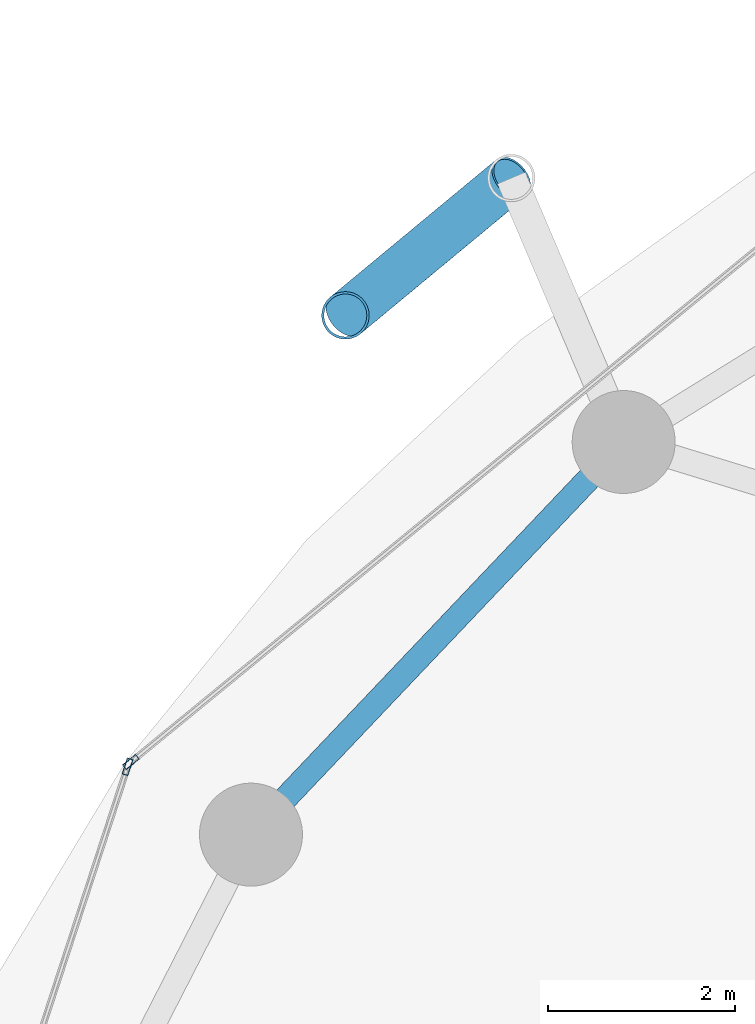
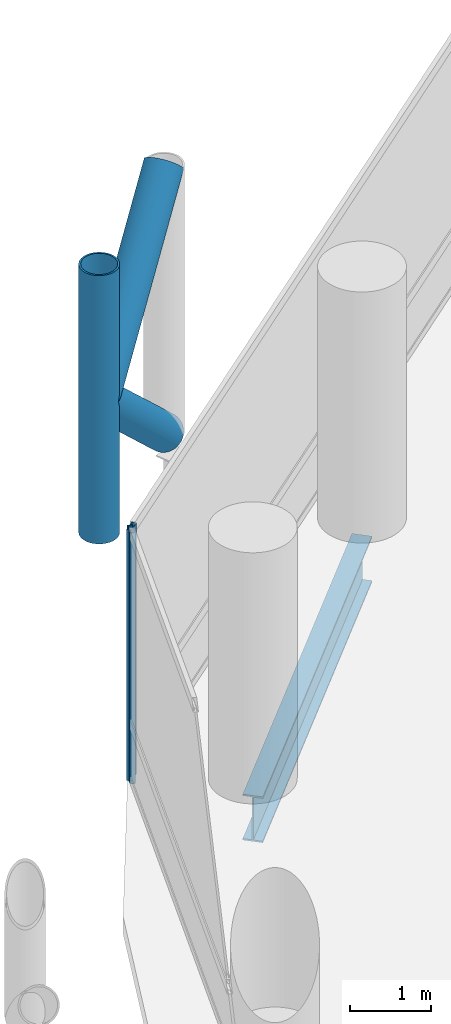
# One storey, part 13 of 24: 5 members, 1 beam, 2 elements without a shape of their own.
"""IFC4 building model written with IfcOpenShell, lengths in metres."""

import ifcopenshell
import ifcopenshell.guid

model = None  # the IFC model being written
_history = None  # IfcOwnerHistory: only IFC2X3 demands one
_inside = {}  # id of a spatial element -> (the spatial element, [elements in it])
_under = {}  # id of a project, library or spatial element -> (it, [spatial elements below it])
_declared = {}  # id of a project -> (the project, [libraries it declares])
_typed = {}  # id of a type object -> (the type object, [elements of that type])
_made_of = {}  # id of a material, layer set ... -> (it, [elements and type objects made of it])


def new_model(schema):
    """Start an empty IFC model of exactly this schema.

    Asked for "IFC4X3", IfcOpenShell would pick the latest addendum, in which some entities
    have other attributes; the version numbers below select the first issue.
    IFC2X3 requires an IfcOwnerHistory on every rooted entity: one is made here for all.
    """
    global model, _history
    if schema == "IFC4X3":
        model = ifcopenshell.file(schema_version=(4, 3, 0, 0))
    else:
        model = ifcopenshell.file(schema=schema)
    _inside.clear()
    _under.clear()
    _declared.clear()
    _typed.clear()
    _made_of.clear()
    _history = None
    if model.schema == "IFC2X3":
        org = make("IfcOrganization", Name="unknown")
        user = make(
            "IfcPersonAndOrganization",
            ThePerson=make("IfcPerson", FamilyName="unknown"),
            TheOrganization=org,
        )
        app = make(
            "IfcApplication",
            ApplicationDeveloper=org,
            Version="unknown",
            ApplicationFullName="unknown",
            ApplicationIdentifier="unknown",
        )
        _history = make(
            "IfcOwnerHistory",
            OwningUser=user,
            OwningApplication=app,
            ChangeAction="ADDED",
            CreationDate=0,
        )
    return model


def make(cls, **values):
    """One entity of the class cls with the attributes given. An attribute that is None is left unset."""
    return model.create_entity(
        cls, **{name: value for name, value in values.items() if value is not None}
    )


def rooted(cls, **values):
    """An entity with a GlobalId (a new one), such as an element, a storey or a relation."""
    return make(cls, GlobalId=ifcopenshell.guid.new(), OwnerHistory=_history, **values)


def si_unit(unit_type, name, prefix=None):
    """IfcSIUnit, for example si_unit("LENGTHUNIT", "METRE", prefix="MILLI")."""
    return make("IfcSIUnit", UnitType=unit_type, Prefix=prefix, Name=name)


def assignment(units):
    """IfcUnitAssignment: the units of a project."""
    return None if units is None else make("IfcUnitAssignment", Units=units)


def point(xyz):
    """IfcCartesianPoint."""
    return None if xyz is None else make("IfcCartesianPoint", Coordinates=xyz)


def direction(xyz):
    """IfcDirection."""
    return None if xyz is None else make("IfcDirection", DirectionRatios=xyz)


def frame(location, z_axis=None, x_axis=None):
    """IfcAxis2Placement3D, a coordinate frame: its origin and axes. An axis left out is left unset."""
    return make(
        "IfcAxis2Placement3D",
        Location=point(location),
        Axis=direction(z_axis),
        RefDirection=direction(x_axis),
    )


def frame_2d(location, x_axis=None):
    """IfcAxis2Placement2D, a coordinate frame in the plane: its origin and x axis."""
    return make(
        "IfcAxis2Placement2D", Location=point(location), RefDirection=direction(x_axis)
    )


def origin():
    """The frame at (0, 0, 0) with its axes left unset."""
    return frame((0.0, 0.0, 0.0))


def origin_2d():
    """The frame at (0, 0) in the plane with its x axis left unset."""
    return frame_2d((0.0, 0.0))


def place(relative_to, where):
    """IfcLocalPlacement: puts the frame where relative to a parent placement (None: the world)."""
    return make(
        "IfcLocalPlacement", PlacementRelTo=relative_to, RelativePlacement=where
    )


def context(
    kind, dimensions, precision=None, world=None, true_north=None, identifier=None
):
    """IfcGeometricRepresentationContext, for example the 3D "Model" context."""
    return make(
        "IfcGeometricRepresentationContext",
        ContextIdentifier=identifier,
        ContextType=kind,
        CoordinateSpaceDimension=dimensions,
        Precision=precision,
        WorldCoordinateSystem=world,
        TrueNorth=true_north,
    )


def subcontext(parent, identifier, kind, view, scale=None):
    """IfcGeometricRepresentationSubContext, for example "Body" below "Model"."""
    return make(
        "IfcGeometricRepresentationSubContext",
        ContextIdentifier=identifier,
        ContextType=kind,
        ParentContext=parent,
        TargetScale=scale,
        TargetView=view,
    )


def project(units=None, contexts=None):
    """IfcProject with its units and contexts."""
    return rooted(
        "IfcProject",
        Name="project",
        RepresentationContexts=contexts,
        UnitsInContext=assignment(units),
    )


def spatial(cls, under=None, at=None, **own):
    """A site, building, storey or space (cls), placed at a placement, below another one or the project."""
    s = rooted(cls, ObjectPlacement=at, **own)
    if under is not None:
        _under.setdefault(under.id(), (under, []))[1].append(s)
    return s


def profile(cls, at=None, kind="AREA", **sizes):
    """A parametric profile (cls). Its sizes go by their IFC names, for example OverallWidth=200.0."""
    return make(cls, ProfileType=kind, Position=at, **sizes)


def hollow_rectangle(**sizes):
    """IfcRectangleHollowProfileDef."""
    return profile("IfcRectangleHollowProfileDef", **sizes)


def hollow_circle(**sizes):
    """IfcCircleHollowProfileDef."""
    return profile("IfcCircleHollowProfileDef", **sizes)


def i_section(**sizes):
    """IfcIShapeProfileDef."""
    return profile("IfcIShapeProfileDef", **sizes)


def extrude(swept, where, along, depth):
    """IfcExtrudedAreaSolid: the profile swept, set in the frame where, extruded along a direction by depth."""
    return make(
        "IfcExtrudedAreaSolid",
        SweptArea=swept,
        Position=where,
        ExtrudedDirection=direction(along),
        Depth=depth,
    )


def shape(context_of_items, identifier, shape_type, items):
    """IfcShapeRepresentation: the items that make up one representation, for example the "Body"."""
    return make(
        "IfcShapeRepresentation",
        ContextOfItems=context_of_items,
        RepresentationIdentifier=identifier,
        RepresentationType=shape_type,
        Items=items,
    )


def material(Name=None, Category=None):
    """IfcMaterial."""
    return make("IfcMaterial", Name=Name, Category=Category)


def layer(
    of_material, thickness, ventilated=None, Name=None, Category=None, Priority=None
):
    """IfcMaterialLayer: one layer of a wall or slab, of a material (None: an air gap)."""
    return make(
        "IfcMaterialLayer",
        Material=of_material,
        LayerThickness=thickness,
        IsVentilated=ventilated,
        Name=Name,
        Category=Category,
        Priority=Priority,
    )


def layer_set(layers, Name=None):
    """IfcMaterialLayerSet."""
    return make("IfcMaterialLayerSet", MaterialLayers=layers, LayerSetName=Name)


def material_profile(
    of_material, cross_section, Name=None, Category=None, Priority=None
):
    """IfcMaterialProfile: a cross section and its material."""
    return make(
        "IfcMaterialProfile",
        Name=Name,
        Material=of_material,
        Profile=cross_section,
        Priority=Priority,
        Category=Category,
    )


def profile_set(profiles, Name=None, composite=None):
    """IfcMaterialProfileSet."""
    return make(
        "IfcMaterialProfileSet",
        Name=Name,
        MaterialProfiles=profiles,
        CompositeProfile=composite,
    )


def made_of(thing, what):
    """Note that an element or type object is made of a material, layer set ...; save() writes the relation."""
    if what is not None:
        _made_of.setdefault(what.id(), (what, []))[1].append(thing)
    return thing


def type_object(cls, material=None, **own):
    """A type object (cls), such as IfcWallType, which elements share."""
    return made_of(rooted(cls, **own), material)


def element(
    cls,
    number,
    at=None,
    inside=None,
    cuts=None,
    type_object=None,
    material=None,
    context=None,
    identifier="Body",
    shape_type=None,
    held_by="IfcProductDefinitionShape",
    body=None,
    shapes=None,
    **own,
):
    """One element of the class cls, such as IfcWall. Its Tag is "e" and its number.

    at: its placement. inside: the storey or other place that contains it. cuts: it is an
    opening in that element (IfcRelVoidsElement). A single representation is given by context,
    identifier, shape_type and body (its items); several are given by shapes. held_by: the class
    of the entity that holds the representations. save() writes the other relations.
    """
    e = rooted(cls, Tag="e%d" % number, ObjectPlacement=at, **own)
    if body is not None:
        shapes = [shape(context, identifier, shape_type, body)]
    if shapes is not None:
        e.Representation = make(held_by, Representations=shapes)
    if inside is not None:
        _inside.setdefault(inside.id(), (inside, []))[1].append(e)
    if cuts is not None:
        rooted(
            "IfcRelVoidsElement", RelatingBuildingElement=cuts, RelatedOpeningElement=e
        )
    if type_object is not None:
        _typed.setdefault(type_object.id(), (type_object, []))[1].append(e)
    return made_of(e, material)


def aggregate(whole, parts):
    """IfcRelAggregates: a whole, such as a stair, and the parts it consists of."""
    return rooted("IfcRelAggregates", RelatingObject=whole, RelatedObjects=parts)


def save(model, path):
    """Write the relations noted so far, then the file.

    IfcRelAggregates (storeys below a building ...), IfcRelContainedInSpatialStructure (elements
    in a storey), IfcRelDefinesByType, IfcRelAssociatesMaterial and IfcRelDeclares: one each for
    every whole, place, type object, material and project.
    """
    for whole, parts in _under.values():
        aggregate(whole, parts)
    for where, things in _inside.values():
        rooted(
            "IfcRelContainedInSpatialStructure",
            RelatedElements=things,
            RelatingStructure=where,
        )
    for kind, things in _typed.values():
        rooted("IfcRelDefinesByType", RelatedObjects=things, RelatingType=kind)
    for what, things in _made_of.values():
        rooted("IfcRelAssociatesMaterial", RelatedObjects=things, RelatingMaterial=what)
    for by, libraries in _declared.values():
        rooted("IfcRelDeclares", RelatingContext=by, RelatedDefinitions=libraries)
    model.write(path)


model = new_model("IFC4")

# Units and contexts
model_context = context("Model", 3, precision=1e-05, world=origin(), true_north=direction((0.0, 1.0)))
body_context = subcontext(model_context, "Body", "Model", "MODEL_VIEW")
ifc_project = project(units=[si_unit("LENGTHUNIT", "METRE"), si_unit("AREAUNIT", "SQUARE_METRE"), si_unit("VOLUMEUNIT", "CUBIC_METRE"), si_unit("PLANEANGLEUNIT", "RADIAN"), si_unit("MASSUNIT", "GRAM", prefix="KILO")], contexts=[model_context])

# Site, building, storey
site_placement = place(None, origin())
site = spatial("IfcSite", under=ifc_project, at=site_placement, CompositionType="ELEMENT")
building_placement = place(site_placement, origin())
building = spatial("IfcBuilding", under=site, at=building_placement, Name="Nuhasar Tower", CompositionType="ELEMENT")
storey_placement = place(building_placement, frame((0.0, 0.0, 29.10009765625)))
storey = spatial("IfcBuildingStorey", under=building, at=storey_placement, Name="L06", CompositionType="ELEMENT", Elevation=29.10009765625)

# Beam
ifc_material_1 = material(Name="Steel S355", Category="steel")
ifc_material_profile_1 = material_profile(ifc_material_1, i_section(OverallWidth=0.256103515625, OverallDepth=0.693115234375, WebThickness=0.014404296875, FlangeThickness=0.023681640625, at=origin_2d()), Name="W27X114")
ifc_profile_set_1 = profile_set([ifc_material_profile_1], Name="Steel S355")
beam_type = type_object("IfcBeamType", Name="BM-RING-W27X114", PredefinedType="SPANDREL", material=ifc_profile_set_1)
beam_placement = place(storey_placement, frame((21.287109375, 41.118896484375, -0.606201171875), z_axis=(-0.688480893507, -0.725254478976, 0.0), x_axis=(0.725254478976, -0.688480893507, 0.0)))
element("IfcBeam", 1, at=beam_placement, inside=storey, type_object=beam_type, Name="L06 Perimeter Ring Spandrel 10", PredefinedType="SPANDREL", context=body_context, shape_type="SweptSolid", body=[
    extrude(i_section(OverallWidth=0.256103515625, OverallDepth=0.693115234375, WebThickness=0.014404296875, FlangeThickness=0.023681640625, at=origin_2d()), origin(), (0.0, 0.0, 1.0), 5.782470703125),
])

# Curtain wall, member
ifc_material_2 = material(Name="Aluminium 6063-T6", Category="aluminium")
ifc_layer = layer(ifc_material_2, 0.199951171875)
ifc_layer_set = layer_set([ifc_layer], Name="Aluminium 6063-T6")
curtain_wall_type = type_object("IfcCurtainWallType", Name="CW-Z1-OFF", PredefinedType="NOTDEFINED", material=ifc_layer_set)
curtain_wall_1_placement = place(storey_placement, origin())
curtain_wall_1 = element("IfcCurtainWall", 2, at=curtain_wall_1_placement, inside=storey, type_object=curtain_wall_type, Name="L06 Unitised Curtain Wall 05", PredefinedType="NOTDEFINED")
ifc_material_profile_2 = material_profile(ifc_material_2, hollow_rectangle(XDim=0.06494140625, YDim=0.179931640625, WallThickness=0.0048828125, at=origin_2d()), Name="CWM-2")
ifc_profile_set_2 = profile_set([ifc_material_profile_2], Name="Aluminium 6063-T6")
member_type_1 = type_object("IfcMemberType", Name="CW-MUL-S2", PredefinedType="MULLION", material=ifc_profile_set_2)
member_1_placement = place(storey_placement, frame((16.023193359375, 37.70068359375, 0.0), z_axis=(0.0, 0.0, 1.0), x_axis=(0.633744593376, -0.773542364946, 0.0)))
member_1 = element("IfcMember", 3, at=member_1_placement, type_object=member_type_1, Name="CW-Z1 mullion 2", PredefinedType="MULLION", context=body_context, shape_type="SweptSolid", body=[
    extrude(hollow_rectangle(XDim=0.06494140625, YDim=0.179931640625, WallThickness=0.0048828125, at=origin_2d()), origin(), (0.0, 0.0, 1.0), 3.789794921875),
])
aggregate(curtain_wall_1, [member_1])

curtain_wall_2_placement = place(storey_placement, origin())
curtain_wall_2 = element("IfcCurtainWall", 4, at=curtain_wall_2_placement, inside=storey, type_object=curtain_wall_type, Name="L06 Unitised Curtain Wall 06", PredefinedType="NOTDEFINED")
member_2_placement = place(storey_placement, frame((15.98779296875, 37.649169921875, 0.0), z_axis=(0.0, 0.0, 1.0), x_axis=(0.950467534571, -0.310823849997, 0.0)))
member_2 = element("IfcMember", 5, at=member_2_placement, type_object=member_type_1, Name="CW-Z1 mullion 1", PredefinedType="MULLION", context=body_context, shape_type="SweptSolid", body=[
    extrude(hollow_rectangle(XDim=0.06494140625, YDim=0.179931640625, WallThickness=0.0048828125, at=origin_2d()), origin(), (0.0, 0.0, 1.0), 3.789794921875),
])
aggregate(curtain_wall_2, [member_2])

# Members
ifc_material_3 = material(Name="Steel S460", Category="steel")
ifc_material_profile_3 = material_profile(ifc_material_3, hollow_circle(Radius=0.25390625, WallThickness=0.025390625, at=origin_2d()), Name="HSS508X25.4")
ifc_profile_set_3 = profile_set([ifc_material_profile_3], Name="Steel S460")
member_type_2 = type_object("IfcMemberType", Name="EXO-BRONZE-508", PredefinedType="BRACE", material=ifc_profile_set_3)
member_3_placement = place(storey_placement, frame((18.31494140625, 42.470947265625, 0.0), z_axis=(0.0, 0.0, 1.0), x_axis=(1.0, 0.0, 0.0)))
element("IfcMember", 6, at=member_3_placement, inside=storey, type_object=member_type_2, Name="L06 Exoskeleton Chord Column EC-05B", PredefinedType="BRACE", context=body_context, shape_type="SweptSolid", body=[
    extrude(hollow_circle(Radius=0.25390625, WallThickness=0.025390625, at=origin_2d()), origin(), (0.0, 0.0, 1.0), 4.0498046875),
])
for number, where, z_axis, x_axis, name in (
    (7, (20.0869140625, 43.93896484375, 0.0), (-0.578101613167, -0.478937034992, 0.660619286251), (0.637969333506, -0.770061769929, 0.0), "L06 Bronze Diagrid Brace W1-05"),
    (8, (18.31494140625, 42.470947265625, 2.02490234375), (0.578101613167, 0.478937034992, 0.660619286251), (-0.637969333506, 0.770061769929, 0.0), "L06 Bronze Diagrid Brace W2-05"),
):
    element("IfcMember", number, at=place(storey_placement, frame(where, z_axis=z_axis, x_axis=x_axis)), inside=storey, type_object=member_type_2, Name=name, PredefinedType="BRACE", context=body_context, shape_type="SweptSolid", body=[
        extrude(hollow_circle(Radius=0.25390625, WallThickness=0.025390625, at=origin_2d()), origin(), (0.0, 0.0, 1.0), 3.065185546875),
    ])

save(model, "model.ifc")
